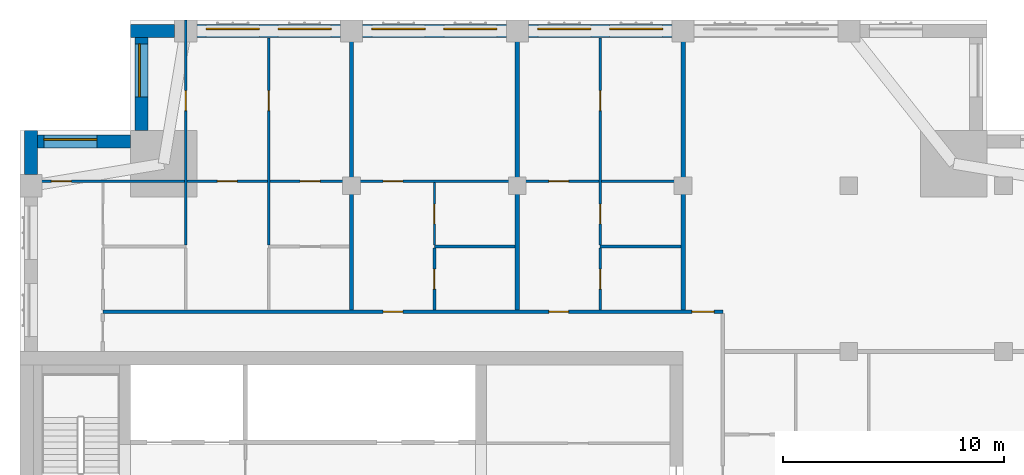
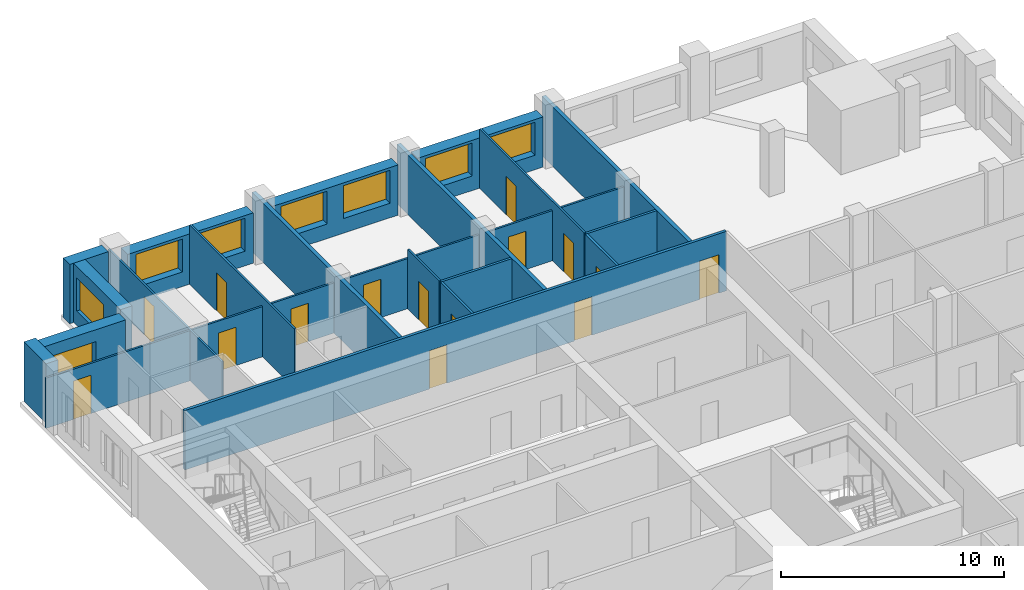
# One storey, part 7 of 11: 20 walls, 15 doors, 8 windows, 23 openings.
"""IFC4 building model written with IfcOpenShell, lengths in metres."""

from ifc_helpers import new_model, si_unit, direction, frame, frame_2d, origin, place, context, subcontext, project, spatial, rectangle, extrude, material, layer, layer_set, type_object, element, fill, save


model = new_model("IFC4")

# Units and contexts
model_context = context("Model", 3, precision=1e-05, world=origin(), true_north=direction((0.0, 1.0)))
body_context = subcontext(model_context, "Body", "Model", "MODEL_VIEW")
ifc_project = project(units=[si_unit("LENGTHUNIT", "METRE"), si_unit("AREAUNIT", "SQUARE_METRE"), si_unit("VOLUMEUNIT", "CUBIC_METRE"), si_unit("PLANEANGLEUNIT", "RADIAN"), si_unit("MASSUNIT", "GRAM", prefix="KILO")], contexts=[model_context])

# Site, building, storey
site_placement = place(None, origin())
site = spatial("IfcSite", under=ifc_project, at=site_placement, CompositionType="ELEMENT")
building_placement = place(site_placement, origin())
building = spatial("IfcBuilding", under=site, at=building_placement, Name="Tamorin Gate", CompositionType="ELEMENT")
storey_placement = place(building_placement, frame((0.0, 0.0, 226.699951171875)))
storey = spatial("IfcBuildingStorey", under=building, at=storey_placement, Name="L56", CompositionType="ELEMENT", Elevation=226.699951171875)

# Wall, openings, windows
ifc_material_1 = material(Name="Precast concrete C40/50", Category="concrete")
ifc_layer_1 = layer(ifc_material_1, 0.60009765625)
ifc_layer_set_1 = layer_set([ifc_layer_1], Name="Precast concrete C40/50")
wall_type_1 = type_object("IfcWallType", Name="Board-marked concrete facade panel 600", PredefinedType="SOLIDWALL", material=ifc_layer_set_1)
wall_1_placement = place(storey_placement, frame((59.5, 97.0, 0.0), z_axis=(0.0, 0.0, 1.0), x_axis=(-1.0, 0.0, 0.0)))
wall_1 = element("IfcWall", 1, at=wall_1_placement, inside=storey, type_object=wall_type_1, Name="Facade panel", PredefinedType="SOLIDWALL", context=body_context, shape_type="SweptSolid", body=[
    extrude(rectangle(XDim=6.5, YDim=0.60009765625, at=frame_2d((3.25, 0.0))), origin(), (0.0, 0.0, 1.0), 2.75),
])
opening_1_placement = place(wall_1_placement, frame((3.675048828125, 0.0, 0.800048828125)))
opening_1 = element("IfcOpeningElement", 2, at=opening_1_placement, cuts=wall_1, Name="Opening WN1", PredefinedType="OPENING", context=body_context, shape_type="SweptSolid", body=[
    extrude(rectangle(XDim=2.39990234375, YDim=1.800048828125, at=frame_2d((1.199951171875, 0.89990234375))), frame((0.0, 0.31005859375, 0.0), z_axis=(0.0, -1.0, 0.0), x_axis=(1.0, 0.0, 0.0)), (0.0, 0.0, 1.0), 0.6201171875),
])
opening_2_placement = place(wall_1_placement, frame((0.425048828125, 0.0, 0.800048828125)))
opening_2 = element("IfcOpeningElement", 3, at=opening_2_placement, cuts=wall_1, Name="Opening WN1", PredefinedType="OPENING", context=body_context, shape_type="SweptSolid", body=[
    extrude(rectangle(XDim=2.39990234375, YDim=1.800048828125, at=frame_2d((1.199951171875, 0.89990234375))), frame((0.0, 0.31005859375, 0.0), z_axis=(0.0, -1.0, 0.0), x_axis=(1.0, 0.0, 0.0)), (0.0, 0.0, 1.0), 0.6201171875),
])
ifc_material_2 = material(Name="Clear glass in aluminium frame", Category="aluminium")
window_type = type_object("IfcWindowType", Name="Deep-set window 2400x1800", PartitioningType="SINGLE_PANEL", PredefinedType="WINDOW", material=ifc_material_2)
window_1_placement = place(opening_1_placement, origin())
window_1 = element("IfcWindow", 4, at=window_1_placement, inside=storey, type_object=window_type, Name="Deep-set window", OverallHeight=1.800048828125, OverallWidth=2.39990234375, PartitioningType="SINGLE_PANEL", PredefinedType="WINDOW", context=body_context, shape_type="SweptSolid", body=[
    extrude(rectangle(XDim=2.39990234375, YDim=1.800048828125, at=frame_2d((1.199951171875, 0.89990234375))), frame((0.0, -0.070068359375, 0.0), z_axis=(0.0, -1.0, 0.0), x_axis=(1.0, 0.0, 0.0)), (0.0, 0.0, 1.0), 0.06005859375),
])
fill(opening_1, window_1)
window_2_placement = place(opening_2_placement, origin())
window_2 = element("IfcWindow", 5, at=window_2_placement, inside=storey, type_object=window_type, Name="Deep-set window", OverallHeight=1.800048828125, OverallWidth=2.39990234375, PartitioningType="SINGLE_PANEL", PredefinedType="WINDOW", context=body_context, shape_type="SweptSolid", body=[
    extrude(rectangle(XDim=2.39990234375, YDim=1.800048828125, at=frame_2d((1.199951171875, 0.89990234375))), frame((0.0, -0.070068359375, 0.0), z_axis=(0.0, -1.0, 0.0), x_axis=(1.0, 0.0, 0.0)), (0.0, 0.0, 1.0), 0.06005859375),
])
fill(opening_2, window_2)

wall_2_placement = place(storey_placement, frame((52.0, 97.0, 0.0), z_axis=(0.0, 0.0, 1.0), x_axis=(-1.0, 0.0, 0.0)))
wall_2 = element("IfcWall", 6, at=wall_2_placement, inside=storey, type_object=wall_type_1, Name="Facade panel", PredefinedType="SOLIDWALL", context=body_context, shape_type="SweptSolid", body=[
    extrude(rectangle(XDim=6.5, YDim=0.60009765625, at=frame_2d((3.25, 0.0))), origin(), (0.0, 0.0, 1.0), 2.75),
])
opening_3_placement = place(wall_2_placement, frame((3.675048828125, 0.0, 0.800048828125)))
opening_3 = element("IfcOpeningElement", 7, at=opening_3_placement, cuts=wall_2, Name="Opening WN1", PredefinedType="OPENING", context=body_context, shape_type="SweptSolid", body=[
    extrude(rectangle(XDim=2.39990234375, YDim=1.800048828125, at=frame_2d((1.199951171875, 0.89990234375))), frame((0.0, 0.31005859375, 0.0), z_axis=(0.0, -1.0, 0.0), x_axis=(1.0, 0.0, 0.0)), (0.0, 0.0, 1.0), 0.6201171875),
])
opening_4_placement = place(wall_2_placement, frame((0.425048828125, 0.0, 0.800048828125)))
opening_4 = element("IfcOpeningElement", 8, at=opening_4_placement, cuts=wall_2, Name="Opening WN1", PredefinedType="OPENING", context=body_context, shape_type="SweptSolid", body=[
    extrude(rectangle(XDim=2.39990234375, YDim=1.800048828125, at=frame_2d((1.199951171875, 0.89990234375))), frame((0.0, 0.31005859375, 0.0), z_axis=(0.0, -1.0, 0.0), x_axis=(1.0, 0.0, 0.0)), (0.0, 0.0, 1.0), 0.6201171875),
])
window_3_placement = place(opening_3_placement, origin())
window_3 = element("IfcWindow", 9, at=window_3_placement, inside=storey, type_object=window_type, Name="Deep-set window", OverallHeight=1.800048828125, OverallWidth=2.39990234375, PartitioningType="SINGLE_PANEL", PredefinedType="WINDOW", context=body_context, shape_type="SweptSolid", body=[
    extrude(rectangle(XDim=2.39990234375, YDim=1.800048828125, at=frame_2d((1.199951171875, 0.89990234375))), frame((0.0, -0.070068359375, 0.0), z_axis=(0.0, -1.0, 0.0), x_axis=(1.0, 0.0, 0.0)), (0.0, 0.0, 1.0), 0.06005859375),
])
fill(opening_3, window_3)
window_4_placement = place(opening_4_placement, origin())
window_4 = element("IfcWindow", 10, at=window_4_placement, inside=storey, type_object=window_type, Name="Deep-set window", OverallHeight=1.800048828125, OverallWidth=2.39990234375, PartitioningType="SINGLE_PANEL", PredefinedType="WINDOW", context=body_context, shape_type="SweptSolid", body=[
    extrude(rectangle(XDim=2.39990234375, YDim=1.800048828125, at=frame_2d((1.199951171875, 0.89990234375))), frame((0.0, -0.070068359375, 0.0), z_axis=(0.0, -1.0, 0.0), x_axis=(1.0, 0.0, 0.0)), (0.0, 0.0, 1.0), 0.06005859375),
])
fill(opening_4, window_4)

wall_3_placement = place(storey_placement, frame((44.5, 97.0, 0.0), z_axis=(0.0, 0.0, 1.0), x_axis=(-1.0, 0.0, 0.0)))
wall_3 = element("IfcWall", 11, at=wall_3_placement, inside=storey, type_object=wall_type_1, Name="Facade panel", PredefinedType="SOLIDWALL", context=body_context, shape_type="SweptSolid", body=[
    extrude(rectangle(XDim=6.5, YDim=0.60009765625, at=frame_2d((3.25, 0.0))), origin(), (0.0, 0.0, 1.0), 2.75),
])
opening_5_placement = place(wall_3_placement, frame((3.675048828125, 0.0, 0.800048828125)))
opening_5 = element("IfcOpeningElement", 12, at=opening_5_placement, cuts=wall_3, Name="Opening WN1", PredefinedType="OPENING", context=body_context, shape_type="SweptSolid", body=[
    extrude(rectangle(XDim=2.39990234375, YDim=1.800048828125, at=frame_2d((1.199951171875, 0.89990234375))), frame((0.0, 0.31005859375, 0.0), z_axis=(0.0, -1.0, 0.0), x_axis=(1.0, 0.0, 0.0)), (0.0, 0.0, 1.0), 0.6201171875),
])
opening_6_placement = place(wall_3_placement, frame((0.425048828125, 0.0, 0.800048828125)))
opening_6 = element("IfcOpeningElement", 13, at=opening_6_placement, cuts=wall_3, Name="Opening WN1", PredefinedType="OPENING", context=body_context, shape_type="SweptSolid", body=[
    extrude(rectangle(XDim=2.39990234375, YDim=1.800048828125, at=frame_2d((1.199951171875, 0.89990234375))), frame((0.0, 0.31005859375, 0.0), z_axis=(0.0, -1.0, 0.0), x_axis=(1.0, 0.0, 0.0)), (0.0, 0.0, 1.0), 0.6201171875),
])
window_5_placement = place(opening_5_placement, origin())
window_5 = element("IfcWindow", 14, at=window_5_placement, inside=storey, type_object=window_type, Name="Deep-set window", OverallHeight=1.800048828125, OverallWidth=2.39990234375, PartitioningType="SINGLE_PANEL", PredefinedType="WINDOW", context=body_context, shape_type="SweptSolid", body=[
    extrude(rectangle(XDim=2.39990234375, YDim=1.800048828125, at=frame_2d((1.199951171875, 0.89990234375))), frame((0.0, -0.070068359375, 0.0), z_axis=(0.0, -1.0, 0.0), x_axis=(1.0, 0.0, 0.0)), (0.0, 0.0, 1.0), 0.06005859375),
])
fill(opening_5, window_5)
window_6_placement = place(opening_6_placement, origin())
window_6 = element("IfcWindow", 15, at=window_6_placement, inside=storey, type_object=window_type, Name="Deep-set window", OverallHeight=1.800048828125, OverallWidth=2.39990234375, PartitioningType="SINGLE_PANEL", PredefinedType="WINDOW", context=body_context, shape_type="SweptSolid", body=[
    extrude(rectangle(XDim=2.39990234375, YDim=1.800048828125, at=frame_2d((1.199951171875, 0.89990234375))), frame((0.0, -0.070068359375, 0.0), z_axis=(0.0, -1.0, 0.0), x_axis=(1.0, 0.0, 0.0)), (0.0, 0.0, 1.0), 0.06005859375),
])
fill(opening_6, window_6)

# Wall
wall_4_placement = place(storey_placement, frame((37.0, 97.0, 0.0), z_axis=(0.0, 0.0, 1.0), x_axis=(-1.0, 0.0, 0.0)))
element("IfcWall", 16, at=wall_4_placement, inside=storey, type_object=wall_type_1, Name="Facade panel", PredefinedType="SOLIDWALL", context=body_context, shape_type="SweptSolid", body=[
    extrude(rectangle(XDim=2.0, YDim=0.60009765625, at=frame_2d((1.0, 0.0))), origin(), (0.0, 0.0, 1.0), 3.25),
])

# Wall, opening, window
wall_5_placement = place(storey_placement, frame((35.5, 96.699951171875, 0.0), z_axis=(0.0, 0.0, 1.0), x_axis=(0.0, -1.0, 0.0)))
wall_5 = element("IfcWall", 17, at=wall_5_placement, inside=storey, type_object=wall_type_1, Name="Facade panel", PredefinedType="SOLIDWALL", context=body_context, shape_type="SweptSolid", body=[
    extrude(rectangle(XDim=4.199951171875, YDim=0.60009765625, at=frame_2d((2.10009765625, 0.0))), origin(), (0.0, 0.0, 1.0), 3.25),
])
opening_7_placement = place(wall_5_placement, frame((0.27490234375, 0.0, 0.800048828125)))
opening_7 = element("IfcOpeningElement", 18, at=opening_7_placement, cuts=wall_5, Name="Opening WN1", PredefinedType="OPENING", context=body_context, shape_type="SweptSolid", body=[
    extrude(rectangle(XDim=2.39990234375, YDim=1.800048828125, at=frame_2d((1.199951171875, 0.89990234375))), frame((0.0, 0.31005859375, 0.0), z_axis=(0.0, -1.0, 0.0), x_axis=(1.0, 0.0, 0.0)), (0.0, 0.0, 1.0), 0.6201171875),
])
window_7_placement = place(opening_7_placement, origin())
window_7 = element("IfcWindow", 19, at=window_7_placement, inside=storey, type_object=window_type, Name="Deep-set window", OverallHeight=1.800048828125, OverallWidth=2.39990234375, PartitioningType="SINGLE_PANEL", PredefinedType="WINDOW", context=body_context, shape_type="SweptSolid", body=[
    extrude(rectangle(XDim=2.39990234375, YDim=1.800048828125, at=frame_2d((1.199951171875, 0.89990234375))), frame((0.0, -0.070068359375, 0.0), z_axis=(0.0, -1.0, 0.0), x_axis=(1.0, 0.0, 0.0)), (0.0, 0.0, 1.0), 0.06005859375),
])
fill(opening_7, window_7)

wall_6_placement = place(storey_placement, frame((35.0, 92.0, 0.0), z_axis=(0.0, 0.0, 1.0), x_axis=(-1.0, 0.0, 0.0)))
wall_6 = element("IfcWall", 20, at=wall_6_placement, inside=storey, type_object=wall_type_1, Name="Facade panel", PredefinedType="SOLIDWALL", context=body_context, shape_type="SweptSolid", body=[
    extrude(rectangle(XDim=4.199951171875, YDim=0.60009765625, at=frame_2d((2.10009765625, 0.0))), origin(), (0.0, 0.0, 1.0), 3.25),
])
opening_8_placement = place(wall_6_placement, frame((1.52490234375, 0.0, 0.800048828125)))
opening_8 = element("IfcOpeningElement", 21, at=opening_8_placement, cuts=wall_6, Name="Opening WN1", PredefinedType="OPENING", context=body_context, shape_type="SweptSolid", body=[
    extrude(rectangle(XDim=2.39990234375, YDim=1.800048828125, at=frame_2d((1.199951171875, 0.89990234375))), frame((0.0, 0.31005859375, 0.0), z_axis=(0.0, -1.0, 0.0), x_axis=(1.0, 0.0, 0.0)), (0.0, 0.0, 1.0), 0.6201171875),
])
window_8_placement = place(opening_8_placement, origin())
window_8 = element("IfcWindow", 22, at=window_8_placement, inside=storey, type_object=window_type, Name="Deep-set window", OverallHeight=1.800048828125, OverallWidth=2.39990234375, PartitioningType="SINGLE_PANEL", PredefinedType="WINDOW", context=body_context, shape_type="SweptSolid", body=[
    extrude(rectangle(XDim=2.39990234375, YDim=1.800048828125, at=frame_2d((1.199951171875, 0.89990234375))), frame((0.0, -0.070068359375, 0.0), z_axis=(0.0, -1.0, 0.0), x_axis=(1.0, 0.0, 0.0)), (0.0, 0.0, 1.0), 0.06005859375),
])
fill(opening_8, window_8)

# Wall
wall_7_placement = place(storey_placement, frame((30.5, 92.5, 0.0), z_axis=(0.0, 0.0, 1.0), x_axis=(0.0, -1.0, 0.0)))
element("IfcWall", 23, at=wall_7_placement, inside=storey, type_object=wall_type_1, Name="Facade panel", PredefinedType="SOLIDWALL", context=body_context, shape_type="SweptSolid", body=[
    extrude(rectangle(XDim=2.0, YDim=0.60009765625, at=frame_2d((1.0, 0.0))), origin(), (0.0, 0.0, 1.0), 3.25),
])

# Wall, openings, doors
ifc_material_3 = material(Name="Gypsum board partition")
ifc_layer_2 = layer(ifc_material_3, 0.14990234375)
ifc_layer_set_2 = layer_set([ifc_layer_2], Name="Corridor wall 150")
wall_type_2 = type_object("IfcWallType", Name="Corridor wall 150", PredefinedType="PARTITIONING", material=ifc_layer_set_2)
wall_8_placement = place(storey_placement, frame((33.75, 84.300048828125, 0.0), z_axis=(0.0, 0.0, 1.0), x_axis=(1.0, 0.0, 0.0)))
wall_8 = element("IfcWall", 24, at=wall_8_placement, inside=storey, type_object=wall_type_2, Name="Corridor wall 150", PredefinedType="PARTITIONING", context=body_context, shape_type="SweptSolid", body=[
    extrude(rectangle(XDim=28.050048828125, YDim=0.14990234375, at=frame_2d((14.02490234375, 0.0))), origin(), (0.0, 0.0, 1.0), 3.25),
])
opening_9_placement = place(wall_8_placement, frame((12.675048828125, 0.0, 0.0)))
opening_9 = element("IfcOpeningElement", 25, at=opening_9_placement, cuts=wall_8, Name="Opening DR6034", PredefinedType="OPENING", context=body_context, shape_type="SweptSolid", body=[
    extrude(rectangle(XDim=0.89990234375, YDim=2.10009765625, at=frame_2d((0.449951171875, 1.050048828125))), frame((0.0, 0.0849609375, 0.0), z_axis=(0.0, -1.0, 0.0), x_axis=(1.0, 0.0, 0.0)), (0.0, 0.0, 1.0), 0.169921875),
])
opening_10_placement = place(wall_8_placement, frame((20.175048828125, 0.0, 0.0)))
opening_10 = element("IfcOpeningElement", 26, at=opening_10_placement, cuts=wall_8, Name="Opening DR6038", PredefinedType="OPENING", context=body_context, shape_type="SweptSolid", body=[
    extrude(rectangle(XDim=0.89990234375, YDim=2.10009765625, at=frame_2d((0.449951171875, 1.050048828125))), frame((0.0, 0.0849609375, 0.0), z_axis=(0.0, -1.0, 0.0), x_axis=(1.0, 0.0, 0.0)), (0.0, 0.0, 1.0), 0.169921875),
])
opening_11_placement = place(wall_8_placement, frame((26.64990234375, 0.0, 0.0)))
opening_11 = element("IfcOpeningElement", 27, at=opening_11_placement, cuts=wall_8, Name="Opening DR6043", PredefinedType="OPENING", context=body_context, shape_type="SweptSolid", body=[
    extrude(rectangle(XDim=1.0, YDim=2.10009765625, at=frame_2d((0.5, 1.050048828125))), frame((0.0, 0.0849609375, 0.0), z_axis=(0.0, -1.0, 0.0), x_axis=(1.0, 0.0, 0.0)), (0.0, 0.0, 1.0), 0.169921875),
])
ifc_material_4 = material(Name="Timber door leaf", Category="wood")
door_type_1 = type_object("IfcDoorType", Name="Door 1000 x 2100 FD30S", OperationType="NOTDEFINED", PredefinedType="DOOR", material=ifc_material_4)
door_1_placement = place(opening_11_placement, origin())
door_1 = element("IfcDoor", 28, at=door_1_placement, inside=storey, type_object=door_type_1, Name="Door DR6043", OperationType="SINGLE_SWING_LEFT", OverallHeight=2.10009765625, OverallWidth=1.0, PredefinedType="DOOR", context=body_context, shape_type="SweptSolid", body=[
    extrude(rectangle(XDim=1.0, YDim=2.10009765625, at=frame_2d((0.5, 1.050048828125))), frame((0.0, 0.02490234375, 0.0), z_axis=(0.0, -1.0, 0.0), x_axis=(1.0, 0.0, 0.0)), (0.0, 0.0, 1.0), 0.050048828125),
])
fill(opening_11, door_1)
door_type_2 = type_object("IfcDoorType", Name="Door 900 x 2100 FD30S", OperationType="NOTDEFINED", PredefinedType="DOOR", material=ifc_material_4)
door_2_placement = place(opening_9_placement, origin())
door_2 = element("IfcDoor", 29, at=door_2_placement, inside=storey, type_object=door_type_2, Name="Door DR6034", OperationType="SINGLE_SWING_LEFT", OverallHeight=2.10009765625, OverallWidth=0.89990234375, PredefinedType="DOOR", context=body_context, shape_type="SweptSolid", body=[
    extrude(rectangle(XDim=0.89990234375, YDim=2.10009765625, at=frame_2d((0.449951171875, 1.050048828125))), frame((0.0, 0.02490234375, 0.0), z_axis=(0.0, -1.0, 0.0), x_axis=(1.0, 0.0, 0.0)), (0.0, 0.0, 1.0), 0.050048828125),
])
fill(opening_9, door_2)
door_3_placement = place(opening_10_placement, origin())
door_3 = element("IfcDoor", 30, at=door_3_placement, inside=storey, type_object=door_type_2, Name="Door DR6038", OperationType="SINGLE_SWING_LEFT", OverallHeight=2.10009765625, OverallWidth=0.89990234375, PredefinedType="DOOR", context=body_context, shape_type="SweptSolid", body=[
    extrude(rectangle(XDim=0.89990234375, YDim=2.10009765625, at=frame_2d((0.449951171875, 1.050048828125))), frame((0.0, 0.02490234375, 0.0), z_axis=(0.0, -1.0, 0.0), x_axis=(1.0, 0.0, 0.0)), (0.0, 0.0, 1.0), 0.050048828125),
])
fill(opening_10, door_3)

# Walls
ifc_layer_3 = layer(ifc_material_3, 0.199951171875)
ifc_layer_set_3 = layer_set([ifc_layer_3], Name="Demising wall 200")
wall_type_3 = type_object("IfcWallType", Name="Demising wall 200", PredefinedType="PARTITIONING", material=ifc_layer_set_3)
for number, where, z_axis, x_axis, name in (
    (31, (45.0, 84.375, 0.0), (0.0, 0.0, 1.0), (0.0, 1.0, 0.0), "Demising wall 200"),
    (32, (52.5, 84.375, 0.0), (0.0, 0.0, 1.0), (0.0, 1.0, 0.0), "Demising wall 200"),
    (33, (60.0, 84.375, 0.0), (0.0, 0.0, 1.0), (0.0, 1.0, 0.0), "Demising wall 200"),
):
    element("IfcWall", number, at=place(storey_placement, frame(where, z_axis=z_axis, x_axis=x_axis)), inside=storey, type_object=wall_type_3, Name=name, PredefinedType="PARTITIONING", context=body_context, shape_type="SweptSolid", body=[
        extrude(rectangle(XDim=13.125, YDim=0.199951171875, at=frame_2d((6.5625, 0.0))), origin(), (0.0, 0.0, 1.0), 3.25),
    ])

# Wall, openings, doors
ifc_layer_4 = layer(ifc_material_3, 0.10009765625)
ifc_layer_set_4 = layer_set([ifc_layer_4], Name="Room partition 100")
wall_type_4 = type_object("IfcWallType", Name="Room partition 100", PredefinedType="PARTITIONING", material=ifc_layer_set_4)
wall_9_placement = place(storey_placement, frame((30.0, 90.199951171875, 0.0), z_axis=(0.0, 0.0, 1.0), x_axis=(1.0, 0.0, 0.0)))
wall_9 = element("IfcWall", 34, at=wall_9_placement, inside=storey, type_object=wall_type_4, Name="Room partition 100", PredefinedType="PARTITIONING", context=body_context, shape_type="SweptSolid", body=[
    extrude(rectangle(XDim=29.89990234375, YDim=0.10009765625, at=frame_2d((14.949951171875, 0.0))), origin(), (0.0, 0.0, 1.0), 2.75),
])
opening_12_placement = place(wall_9_placement, frame((1.425048828125, 0.0, 0.0)))
opening_12 = element("IfcOpeningElement", 35, at=opening_12_placement, cuts=wall_9, Name="Opening DR6026", PredefinedType="OPENING", context=body_context, shape_type="SweptSolid", body=[
    extrude(rectangle(XDim=0.89990234375, YDim=2.10009765625, at=frame_2d((0.449951171875, 1.050048828125))), frame((0.0, 0.06005859375, 0.0), z_axis=(0.0, -1.0, 0.0), x_axis=(1.0, 0.0, 0.0)), (0.0, 0.0, 1.0), 0.1201171875),
])
opening_13_placement = place(wall_9_placement, frame((8.925048828125, 0.0, 0.0)))
opening_13 = element("IfcOpeningElement", 36, at=opening_13_placement, cuts=wall_9, Name="Opening DR6029", PredefinedType="OPENING", context=body_context, shape_type="SweptSolid", body=[
    extrude(rectangle(XDim=0.89990234375, YDim=2.10009765625, at=frame_2d((0.449951171875, 1.050048828125))), frame((0.0, 0.06005859375, 0.0), z_axis=(0.0, -1.0, 0.0), x_axis=(1.0, 0.0, 0.0)), (0.0, 0.0, 1.0), 0.1201171875),
])
opening_14_placement = place(wall_9_placement, frame((12.675048828125, 0.0, 0.0)))
opening_14 = element("IfcOpeningElement", 37, at=opening_14_placement, cuts=wall_9, Name="Opening DR6030", PredefinedType="OPENING", context=body_context, shape_type="SweptSolid", body=[
    extrude(rectangle(XDim=0.89990234375, YDim=2.10009765625, at=frame_2d((0.449951171875, 1.050048828125))), frame((0.0, 0.06005859375, 0.0), z_axis=(0.0, -1.0, 0.0), x_axis=(1.0, 0.0, 0.0)), (0.0, 0.0, 1.0), 0.1201171875),
])
opening_15_placement = place(wall_9_placement, frame((16.425048828125, 0.0, 0.0)))
opening_15 = element("IfcOpeningElement", 38, at=opening_15_placement, cuts=wall_9, Name="Opening DR6035", PredefinedType="OPENING", context=body_context, shape_type="SweptSolid", body=[
    extrude(rectangle(XDim=0.89990234375, YDim=2.10009765625, at=frame_2d((0.449951171875, 1.050048828125))), frame((0.0, 0.06005859375, 0.0), z_axis=(0.0, -1.0, 0.0), x_axis=(1.0, 0.0, 0.0)), (0.0, 0.0, 1.0), 0.1201171875),
])
opening_16_placement = place(wall_9_placement, frame((23.925048828125, 0.0, 0.0)))
opening_16 = element("IfcOpeningElement", 39, at=opening_16_placement, cuts=wall_9, Name="Opening DR6039", PredefinedType="OPENING", context=body_context, shape_type="SweptSolid", body=[
    extrude(rectangle(XDim=0.89990234375, YDim=2.10009765625, at=frame_2d((0.449951171875, 1.050048828125))), frame((0.0, 0.06005859375, 0.0), z_axis=(0.0, -1.0, 0.0), x_axis=(1.0, 0.0, 0.0)), (0.0, 0.0, 1.0), 0.1201171875),
])
door_type_3 = type_object("IfcDoorType", Name="Door 900 x 2100", OperationType="NOTDEFINED", PredefinedType="DOOR", material=ifc_material_4)
door_4_placement = place(opening_12_placement, origin())
door_4 = element("IfcDoor", 40, at=door_4_placement, inside=storey, type_object=door_type_3, Name="Door DR6026", OperationType="SINGLE_SWING_RIGHT", OverallHeight=2.10009765625, OverallWidth=0.89990234375, PredefinedType="DOOR", context=body_context, shape_type="SweptSolid", body=[
    extrude(rectangle(XDim=0.89990234375, YDim=2.10009765625, at=frame_2d((0.449951171875, 1.050048828125))), frame((0.0, 0.02490234375, 0.0), z_axis=(0.0, -1.0, 0.0), x_axis=(1.0, 0.0, 0.0)), (0.0, 0.0, 1.0), 0.050048828125),
])
fill(opening_12, door_4)
door_5_placement = place(opening_13_placement, origin())
door_5 = element("IfcDoor", 41, at=door_5_placement, inside=storey, type_object=door_type_3, Name="Door DR6029", OperationType="SINGLE_SWING_RIGHT", OverallHeight=2.10009765625, OverallWidth=0.89990234375, PredefinedType="DOOR", context=body_context, shape_type="SweptSolid", body=[
    extrude(rectangle(XDim=0.89990234375, YDim=2.10009765625, at=frame_2d((0.449951171875, 1.050048828125))), frame((0.0, 0.02490234375, 0.0), z_axis=(0.0, -1.0, 0.0), x_axis=(1.0, 0.0, 0.0)), (0.0, 0.0, 1.0), 0.050048828125),
])
fill(opening_13, door_5)
door_6_placement = place(opening_14_placement, origin())
door_6 = element("IfcDoor", 42, at=door_6_placement, inside=storey, type_object=door_type_3, Name="Door DR6030", OperationType="SINGLE_SWING_RIGHT", OverallHeight=2.10009765625, OverallWidth=0.89990234375, PredefinedType="DOOR", context=body_context, shape_type="SweptSolid", body=[
    extrude(rectangle(XDim=0.89990234375, YDim=2.10009765625, at=frame_2d((0.449951171875, 1.050048828125))), frame((0.0, 0.02490234375, 0.0), z_axis=(0.0, -1.0, 0.0), x_axis=(1.0, 0.0, 0.0)), (0.0, 0.0, 1.0), 0.050048828125),
])
fill(opening_14, door_6)
door_7_placement = place(opening_15_placement, origin())
door_7 = element("IfcDoor", 43, at=door_7_placement, inside=storey, type_object=door_type_3, Name="Door DR6035", OperationType="SINGLE_SWING_RIGHT", OverallHeight=2.10009765625, OverallWidth=0.89990234375, PredefinedType="DOOR", context=body_context, shape_type="SweptSolid", body=[
    extrude(rectangle(XDim=0.89990234375, YDim=2.10009765625, at=frame_2d((0.449951171875, 1.050048828125))), frame((0.0, 0.02490234375, 0.0), z_axis=(0.0, -1.0, 0.0), x_axis=(1.0, 0.0, 0.0)), (0.0, 0.0, 1.0), 0.050048828125),
])
fill(opening_15, door_7)
door_8_placement = place(opening_16_placement, origin())
door_8 = element("IfcDoor", 44, at=door_8_placement, inside=storey, type_object=door_type_3, Name="Door DR6039", OperationType="SINGLE_SWING_RIGHT", OverallHeight=2.10009765625, OverallWidth=0.89990234375, PredefinedType="DOOR", context=body_context, shape_type="SweptSolid", body=[
    extrude(rectangle(XDim=0.89990234375, YDim=2.10009765625, at=frame_2d((0.449951171875, 1.050048828125))), frame((0.0, 0.02490234375, 0.0), z_axis=(0.0, -1.0, 0.0), x_axis=(1.0, 0.0, 0.0)), (0.0, 0.0, 1.0), 0.050048828125),
])
fill(opening_16, door_8)

# Wall, opening, door
wall_10_placement = place(storey_placement, frame((37.5, 87.3125, 0.0), z_axis=(0.0, 0.0, 1.0), x_axis=(0.0, 1.0, 0.0)))
wall_10 = element("IfcWall", 45, at=wall_10_placement, inside=storey, type_object=wall_type_4, Name="Room partition 100", PredefinedType="PARTITIONING", context=body_context, shape_type="SweptSolid", body=[
    extrude(rectangle(XDim=10.1875, YDim=0.10009765625, at=frame_2d((5.09375, 0.0))), origin(), (0.0, 0.0, 1.0), 2.75),
])
opening_17_placement = place(wall_10_placement, frame((6.08740234375, 0.0, 0.0)))
opening_17 = element("IfcOpeningElement", 46, at=opening_17_placement, cuts=wall_10, Name="Opening DR6032", PredefinedType="OPENING", context=body_context, shape_type="SweptSolid", body=[
    extrude(rectangle(XDim=0.89990234375, YDim=2.10009765625, at=frame_2d((0.449951171875, 1.050048828125))), frame((0.0, 0.06005859375, 0.0), z_axis=(0.0, -1.0, 0.0), x_axis=(1.0, 0.0, 0.0)), (0.0, 0.0, 1.0), 0.1201171875),
])
door_9_placement = place(opening_17_placement, origin())
door_9 = element("IfcDoor", 47, at=door_9_placement, inside=storey, type_object=door_type_3, Name="Door DR6032", OperationType="SINGLE_SWING_LEFT", OverallHeight=2.10009765625, OverallWidth=0.89990234375, PredefinedType="DOOR", context=body_context, shape_type="SweptSolid", body=[
    extrude(rectangle(XDim=0.89990234375, YDim=2.10009765625, at=frame_2d((0.449951171875, 1.050048828125))), frame((0.0, 0.02490234375, 0.0), z_axis=(0.0, -1.0, 0.0), x_axis=(1.0, 0.0, 0.0)), (0.0, 0.0, 1.0), 0.050048828125),
])
fill(opening_17, door_9)

wall_11_placement = place(storey_placement, frame((41.25, 87.3125, 0.0), z_axis=(0.0, 0.0, 1.0), x_axis=(0.0, 1.0, 0.0)))
wall_11 = element("IfcWall", 48, at=wall_11_placement, inside=storey, type_object=wall_type_4, Name="Room partition 100", PredefinedType="PARTITIONING", context=body_context, shape_type="SweptSolid", body=[
    extrude(rectangle(XDim=9.37744140625, YDim=0.10009765625, at=frame_2d((4.688720703125, 0.0))), origin(), (0.0, 0.0, 1.0), 3.25),
])
opening_18_placement = place(wall_11_placement, frame((6.08740234375, 0.0, 0.0)))
opening_18 = element("IfcOpeningElement", 49, at=opening_18_placement, cuts=wall_11, Name="Opening DR6033", PredefinedType="OPENING", context=body_context, shape_type="SweptSolid", body=[
    extrude(rectangle(XDim=0.89990234375, YDim=2.10009765625, at=frame_2d((0.449951171875, 1.050048828125))), frame((0.0, 0.06005859375, 0.0), z_axis=(0.0, -1.0, 0.0), x_axis=(1.0, 0.0, 0.0)), (0.0, 0.0, 1.0), 0.1201171875),
])
door_10_placement = place(opening_18_placement, origin())
door_10 = element("IfcDoor", 50, at=door_10_placement, inside=storey, type_object=door_type_3, Name="Door DR6033", OperationType="SINGLE_SWING_LEFT", OverallHeight=2.10009765625, OverallWidth=0.89990234375, PredefinedType="DOOR", context=body_context, shape_type="SweptSolid", body=[
    extrude(rectangle(XDim=0.89990234375, YDim=2.10009765625, at=frame_2d((0.449951171875, 1.050048828125))), frame((0.0, 0.02490234375, 0.0), z_axis=(0.0, -1.0, 0.0), x_axis=(1.0, 0.0, 0.0)), (0.0, 0.0, 1.0), 0.050048828125),
])
fill(opening_18, door_10)

wall_12_placement = place(storey_placement, frame((48.75, 87.3125, 0.0), z_axis=(0.0, 0.0, 1.0), x_axis=(0.0, 1.0, 0.0)))
wall_12 = element("IfcWall", 51, at=wall_12_placement, inside=storey, type_object=wall_type_4, Name="Room partition 100", PredefinedType="PARTITIONING", context=body_context, shape_type="SweptSolid", body=[
    extrude(rectangle(XDim=2.83740234375, YDim=0.10009765625, at=frame_2d((1.418701171875, 0.0))), origin(), (0.0, 0.0, 1.0), 3.25),
])
opening_19_placement = place(wall_12_placement, frame((0.96240234375, 0.0, 0.0)))
opening_19 = element("IfcOpeningElement", 52, at=opening_19_placement, cuts=wall_12, Name="Opening DR6036", PredefinedType="OPENING", context=body_context, shape_type="SweptSolid", body=[
    extrude(rectangle(XDim=0.89990234375, YDim=2.10009765625, at=frame_2d((0.449951171875, 1.050048828125))), frame((0.0, 0.06005859375, 0.0), z_axis=(0.0, -1.0, 0.0), x_axis=(1.0, 0.0, 0.0)), (0.0, 0.0, 1.0), 0.1201171875),
])
door_11_placement = place(opening_19_placement, origin())
door_11 = element("IfcDoor", 53, at=door_11_placement, inside=storey, type_object=door_type_3, Name="Door DR6036", OperationType="SINGLE_SWING_RIGHT", OverallHeight=2.10009765625, OverallWidth=0.89990234375, PredefinedType="DOOR", context=body_context, shape_type="SweptSolid", body=[
    extrude(rectangle(XDim=0.89990234375, YDim=2.10009765625, at=frame_2d((0.449951171875, 1.050048828125))), frame((0.0, 0.02490234375, 0.0), z_axis=(0.0, -1.0, 0.0), x_axis=(1.0, 0.0, 0.0)), (0.0, 0.0, 1.0), 0.050048828125),
])
fill(opening_19, door_11)

# Wall, openings, doors
wall_13_placement = place(storey_placement, frame((56.25, 87.3125, 0.0), z_axis=(0.0, 0.0, 1.0), x_axis=(0.0, 1.0, 0.0)))
wall_13 = element("IfcWall", 54, at=wall_13_placement, inside=storey, type_object=wall_type_4, Name="Room partition 100", PredefinedType="PARTITIONING", context=body_context, shape_type="SweptSolid", body=[
    extrude(rectangle(XDim=9.37744140625, YDim=0.10009765625, at=frame_2d((4.688720703125, 0.0))), origin(), (0.0, 0.0, 1.0), 3.25),
])
opening_20_placement = place(wall_13_placement, frame((0.96240234375, 0.0, 0.0)))
opening_20 = element("IfcOpeningElement", 55, at=opening_20_placement, cuts=wall_13, Name="Opening DR6040", PredefinedType="OPENING", context=body_context, shape_type="SweptSolid", body=[
    extrude(rectangle(XDim=0.89990234375, YDim=2.10009765625, at=frame_2d((0.449951171875, 1.050048828125))), frame((0.0, 0.06005859375, 0.0), z_axis=(0.0, -1.0, 0.0), x_axis=(1.0, 0.0, 0.0)), (0.0, 0.0, 1.0), 0.1201171875),
])
opening_21_placement = place(wall_13_placement, frame((6.08740234375, 0.0, 0.0)))
opening_21 = element("IfcOpeningElement", 56, at=opening_21_placement, cuts=wall_13, Name="Opening DR6042", PredefinedType="OPENING", context=body_context, shape_type="SweptSolid", body=[
    extrude(rectangle(XDim=0.89990234375, YDim=2.10009765625, at=frame_2d((0.449951171875, 1.050048828125))), frame((0.0, 0.06005859375, 0.0), z_axis=(0.0, -1.0, 0.0), x_axis=(1.0, 0.0, 0.0)), (0.0, 0.0, 1.0), 0.1201171875),
])
door_12_placement = place(opening_20_placement, origin())
door_12 = element("IfcDoor", 57, at=door_12_placement, inside=storey, type_object=door_type_3, Name="Door DR6040", OperationType="SINGLE_SWING_RIGHT", OverallHeight=2.10009765625, OverallWidth=0.89990234375, PredefinedType="DOOR", context=body_context, shape_type="SweptSolid", body=[
    extrude(rectangle(XDim=0.89990234375, YDim=2.10009765625, at=frame_2d((0.449951171875, 1.050048828125))), frame((0.0, 0.02490234375, 0.0), z_axis=(0.0, -1.0, 0.0), x_axis=(1.0, 0.0, 0.0)), (0.0, 0.0, 1.0), 0.050048828125),
])
fill(opening_20, door_12)
door_13_placement = place(opening_21_placement, origin())
door_13 = element("IfcDoor", 58, at=door_13_placement, inside=storey, type_object=door_type_3, Name="Door DR6042", OperationType="SINGLE_SWING_LEFT", OverallHeight=2.10009765625, OverallWidth=0.89990234375, PredefinedType="DOOR", context=body_context, shape_type="SweptSolid", body=[
    extrude(rectangle(XDim=0.89990234375, YDim=2.10009765625, at=frame_2d((0.449951171875, 1.050048828125))), frame((0.0, 0.02490234375, 0.0), z_axis=(0.0, -1.0, 0.0), x_axis=(1.0, 0.0, 0.0)), (0.0, 0.0, 1.0), 0.050048828125),
])
fill(opening_21, door_13)

# Walls
ifc_layer_5 = layer(ifc_material_3, 0.125)
ifc_layer_set_5 = layer_set([ifc_layer_5], Name="Wet wall 125")
wall_type_5 = type_object("IfcWallType", Name="Wet wall 125", PredefinedType="PARTITIONING", material=ifc_layer_set_5)
for number, where, z_axis, x_axis, name in (
    (59, (48.75, 87.25, 0.0), (0.0, 0.0, 1.0), (1.0, 0.0, 0.0), "Wet wall 125"),
    (60, (56.25, 87.25, 0.0), (0.0, 0.0, 1.0), (1.0, 0.0, 0.0), "Wet wall 125"),
):
    element("IfcWall", number, at=place(storey_placement, frame(where, z_axis=z_axis, x_axis=x_axis)), inside=storey, type_object=wall_type_5, Name=name, PredefinedType="PARTITIONING", context=body_context, shape_type="SweptSolid", body=[
        extrude(rectangle(XDim=3.64990234375, YDim=0.125, at=frame_2d((1.824951171875, 0.0))), origin(), (0.0, 0.0, 1.0), 3.25),
    ])

# Wall, opening, door
wall_14_placement = place(storey_placement, frame((48.75, 84.375, 0.0), z_axis=(0.0, 0.0, 1.0), x_axis=(0.0, 1.0, 0.0)))
wall_14 = element("IfcWall", 61, at=wall_14_placement, inside=storey, type_object=wall_type_5, Name="Wet wall 125", PredefinedType="PARTITIONING", context=body_context, shape_type="SweptSolid", body=[
    extrude(rectangle(XDim=2.8125, YDim=0.125, at=frame_2d((1.40625, 0.0))), origin(), (0.0, 0.0, 1.0), 3.25),
])
opening_22_placement = place(wall_14_placement, frame((0.949951171875, 0.0, 0.0)))
opening_22 = element("IfcOpeningElement", 62, at=opening_22_placement, cuts=wall_14, Name="Opening DR6037", PredefinedType="OPENING", context=body_context, shape_type="SweptSolid", body=[
    extrude(rectangle(XDim=0.89990234375, YDim=2.10009765625, at=frame_2d((0.449951171875, 1.050048828125))), frame((0.0, 0.072509765625, 0.0), z_axis=(0.0, -1.0, 0.0), x_axis=(1.0, 0.0, 0.0)), (0.0, 0.0, 1.0), 0.14501953125),
])
door_14_placement = place(opening_22_placement, origin())
door_14 = element("IfcDoor", 63, at=door_14_placement, inside=storey, type_object=door_type_3, Name="Door DR6037", OperationType="SINGLE_SWING_RIGHT", OverallHeight=2.10009765625, OverallWidth=0.89990234375, PredefinedType="DOOR", context=body_context, shape_type="SweptSolid", body=[
    extrude(rectangle(XDim=0.89990234375, YDim=2.10009765625, at=frame_2d((0.449951171875, 1.050048828125))), frame((0.0, 0.02490234375, 0.0), z_axis=(0.0, -1.0, 0.0), x_axis=(1.0, 0.0, 0.0)), (0.0, 0.0, 1.0), 0.050048828125),
])
fill(opening_22, door_14)

wall_15_placement = place(storey_placement, frame((56.25, 84.375, 0.0), z_axis=(0.0, 0.0, 1.0), x_axis=(0.0, 1.0, 0.0)))
wall_15 = element("IfcWall", 64, at=wall_15_placement, inside=storey, type_object=wall_type_5, Name="Wet wall 125", PredefinedType="PARTITIONING", context=body_context, shape_type="SweptSolid", body=[
    extrude(rectangle(XDim=2.8125, YDim=0.125, at=frame_2d((1.40625, 0.0))), origin(), (0.0, 0.0, 1.0), 3.25),
])
opening_23_placement = place(wall_15_placement, frame((0.949951171875, 0.0, 0.0)))
opening_23 = element("IfcOpeningElement", 65, at=opening_23_placement, cuts=wall_15, Name="Opening DR6041", PredefinedType="OPENING", context=body_context, shape_type="SweptSolid", body=[
    extrude(rectangle(XDim=0.89990234375, YDim=2.10009765625, at=frame_2d((0.449951171875, 1.050048828125))), frame((0.0, 0.072509765625, 0.0), z_axis=(0.0, -1.0, 0.0), x_axis=(1.0, 0.0, 0.0)), (0.0, 0.0, 1.0), 0.14501953125),
])
door_15_placement = place(opening_23_placement, origin())
door_15 = element("IfcDoor", 66, at=door_15_placement, inside=storey, type_object=door_type_3, Name="Door DR6041", OperationType="SINGLE_SWING_RIGHT", OverallHeight=2.10009765625, OverallWidth=0.89990234375, PredefinedType="DOOR", context=body_context, shape_type="SweptSolid", body=[
    extrude(rectangle(XDim=0.89990234375, YDim=2.10009765625, at=frame_2d((0.449951171875, 1.050048828125))), frame((0.0, 0.02490234375, 0.0), z_axis=(0.0, -1.0, 0.0), x_axis=(1.0, 0.0, 0.0)), (0.0, 0.0, 1.0), 0.050048828125),
])
fill(opening_23, door_15)

save(model, "model.ifc")
